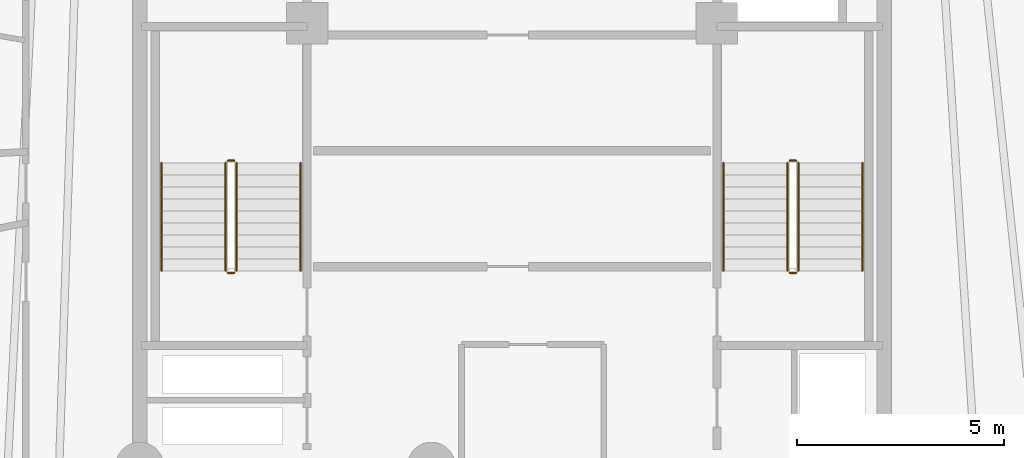
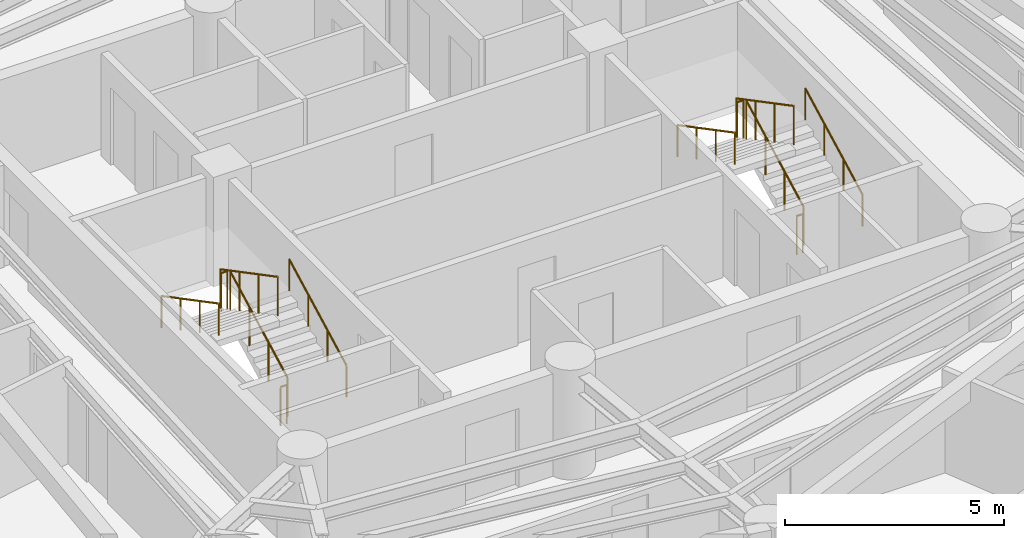
# One storey, part 7 of 7: 12 railings.
"""IFC4 building model written with IfcOpenShell, lengths in metres."""

from ifc_helpers import new_model, si_unit, direction, frame, origin, origin_2d, place, context, subcontext, project, spatial, circle, extrude, material, layer, layer_set, type_object, element, save


model = new_model("IFC4")

# Units and contexts
model_context = context("Model", 3, precision=1e-05, world=origin(), true_north=direction((0.0, 1.0)))
body_context = subcontext(model_context, "Body", "Model", "MODEL_VIEW")
ifc_project = project(units=[si_unit("LENGTHUNIT", "METRE"), si_unit("AREAUNIT", "SQUARE_METRE"), si_unit("VOLUMEUNIT", "CUBIC_METRE"), si_unit("PLANEANGLEUNIT", "RADIAN"), si_unit("MASSUNIT", "GRAM", prefix="KILO")], contexts=[model_context])

# Site, building, storey
site_placement = place(None, origin())
site = spatial("IfcSite", under=ifc_project, at=site_placement, CompositionType="ELEMENT")
building_placement = place(site_placement, origin())
building = spatial("IfcBuilding", under=site, at=building_placement, Name="Karkom Vertical University and Central Library", CompositionType="ELEMENT")
storey_placement = place(building_placement, frame((0.0, 0.0, 247.39990234375)))
storey = spatial("IfcBuildingStorey", under=building, at=storey_placement, Name="L73", CompositionType="ELEMENT", Elevation=247.39990234375)

# Railings
ifc_material_1 = material(Name="Painted galvanised steel balustrade", Category="steel")
ifc_layer_1 = layer(ifc_material_1, 0.06005859375)
ifc_layer_set_1 = layer_set([ifc_layer_1], Name="Painted galvanised steel balustrade")
railing_type_1 = type_object("IfcRailingType", Name="INT-RL-GUARD1100", PredefinedType="GUARDRAIL", material=ifc_layer_set_1)
railing_1_placement = place(storey_placement, frame((21.840087890625, 23.02001953125, 0.152587890625)))
element("IfcRailing", 1, at=railing_1_placement, inside=storey, type_object=railing_type_1, Name="Level 73 ST-1 stair guard 1", PredefinedType="GUARDRAIL", context=body_context, shape_type="SweptSolid", body=[
    extrude(circle(Radius=0.02392578125, at=origin_2d()), frame((0.0, 0.0, 1.076171875), z_axis=(0.0, 0.885065446896, 0.46546659892), x_axis=(-1.0, 0.0, 0.0)), (0.0, 0.0, 1.0), 2.94873046875),
    extrude(circle(Radius=0.02099609375, at=origin_2d()), origin(), (0.0, 0.0, 1.0), 1.052001953125),
    extrude(circle(Radius=0.02099609375, at=origin_2d()), frame((0.0, 0.869873046875, 0.45751953125)), (0.0, 0.0, 1.0), 1.052001953125),
    extrude(circle(Radius=0.02099609375, at=origin_2d()), frame((0.0, 1.739990234375, 0.9150390625)), (0.0, 0.0, 1.0), 1.052001953125),
    extrude(circle(Radius=0.02099609375, at=origin_2d()), frame((0.0, 2.60986328125, 1.37255859375)), (0.0, 0.0, 1.0), 1.052001953125),
])
railing_2_placement = place(storey_placement, frame((21.7900390625, 25.679931640625, 1.525146484375)))
element("IfcRailing", 2, at=railing_2_placement, inside=storey, type_object=railing_type_1, Name="Level 73 ST-1 stair guard 2", PredefinedType="GUARDRAIL", context=body_context, shape_type="SweptSolid", body=[
    extrude(circle(Radius=0.02392578125, at=origin_2d()), frame((0.0, 0.0, 1.076171875), z_axis=(-1.0, 0.0, 0.0), x_axis=(0.0, -1.0, 0.0)), (0.0, 0.0, 1.0), 0.16015625),
    extrude(circle(Radius=0.02099609375, at=origin_2d()), origin(), (0.0, 0.0, 1.0), 1.052001953125),
    extrude(circle(Radius=0.02099609375, at=origin_2d()), frame((-0.16015625, 0.0, 0.0)), (0.0, 0.0, 1.0), 1.052001953125),
])
railing_3_placement = place(storey_placement, frame((21.580078125, 25.6298828125, 1.677490234375)))
element("IfcRailing", 3, at=railing_3_placement, inside=storey, type_object=railing_type_1, Name="Level 73 ST-1 stair guard 3", PredefinedType="GUARDRAIL", context=body_context, shape_type="SweptSolid", body=[
    extrude(circle(Radius=0.02392578125, at=origin_2d()), frame((0.0, 0.0, 1.076171875), z_axis=(0.0, -0.885065446896, 0.46546659892), x_axis=(1.0, 0.0, 0.0)), (0.0, 0.0, 1.0), 2.94873046875),
    extrude(circle(Radius=0.02099609375, at=origin_2d()), origin(), (0.0, 0.0, 1.0), 1.052001953125),
    extrude(circle(Radius=0.02099609375, at=origin_2d()), frame((0.0, -0.869873046875, 0.45751953125)), (0.0, 0.0, 1.0), 1.052001953125),
    extrude(circle(Radius=0.02099609375, at=origin_2d()), frame((0.0, -1.739990234375, 0.9150390625)), (0.0, 0.0, 1.0), 1.052001953125),
    extrude(circle(Radius=0.02099609375, at=origin_2d()), frame((0.0, -2.60986328125, 1.37255859375)), (0.0, 0.0, 1.0), 1.052001953125),
])
railing_4_placement = place(storey_placement, frame((21.7900390625, 22.969970703125, 0.0)))
element("IfcRailing", 4, at=railing_4_placement, inside=storey, type_object=railing_type_1, Name="Level 73 ST-1 stair guard 4", PredefinedType="GUARDRAIL", context=body_context, shape_type="SweptSolid", body=[
    extrude(circle(Radius=0.02392578125, at=origin_2d()), frame((0.0, 0.0, 1.076171875), z_axis=(-1.0, 0.0, 0.0), x_axis=(0.0, -1.0, 0.0)), (0.0, 0.0, 1.0), 0.16015625),
    extrude(circle(Radius=0.02099609375, at=origin_2d()), origin(), (0.0, 0.0, 1.0), 1.052001953125),
    extrude(circle(Radius=0.02099609375, at=origin_2d()), frame((-0.16015625, 0.0, 0.0)), (0.0, 0.0, 1.0), 1.052001953125),
])
railing_5_placement = place(storey_placement, frame((35.419921875, 23.02001953125, 0.152587890625)))
element("IfcRailing", 5, at=railing_5_placement, inside=storey, type_object=railing_type_1, Name="Level 73 ST-2 stair guard 1", PredefinedType="GUARDRAIL", context=body_context, shape_type="SweptSolid", body=[
    extrude(circle(Radius=0.02392578125, at=origin_2d()), frame((0.0, 0.0, 1.076171875), z_axis=(0.0, 0.885065446896, 0.46546659892), x_axis=(-1.0, 0.0, 0.0)), (0.0, 0.0, 1.0), 2.94873046875),
    extrude(circle(Radius=0.02099609375, at=origin_2d()), origin(), (0.0, 0.0, 1.0), 1.052001953125),
    extrude(circle(Radius=0.02099609375, at=origin_2d()), frame((0.0, 0.869873046875, 0.45751953125)), (0.0, 0.0, 1.0), 1.052001953125),
    extrude(circle(Radius=0.02099609375, at=origin_2d()), frame((0.0, 1.739990234375, 0.9150390625)), (0.0, 0.0, 1.0), 1.052001953125),
    extrude(circle(Radius=0.02099609375, at=origin_2d()), frame((0.0, 2.60986328125, 1.37255859375)), (0.0, 0.0, 1.0), 1.052001953125),
])
railing_6_placement = place(storey_placement, frame((35.3701171875, 25.679931640625, 1.525146484375)))
element("IfcRailing", 6, at=railing_6_placement, inside=storey, type_object=railing_type_1, Name="Level 73 ST-2 stair guard 2", PredefinedType="GUARDRAIL", context=body_context, shape_type="SweptSolid", body=[
    extrude(circle(Radius=0.02392578125, at=origin_2d()), frame((0.0, 0.0, 1.076171875), z_axis=(-1.0, 0.0, 0.0), x_axis=(0.0, -1.0, 0.0)), (0.0, 0.0, 1.0), 0.16015625),
    extrude(circle(Radius=0.02099609375, at=origin_2d()), origin(), (0.0, 0.0, 1.0), 1.052001953125),
    extrude(circle(Radius=0.02099609375, at=origin_2d()), frame((-0.16015625, 0.0, 0.0)), (0.0, 0.0, 1.0), 1.052001953125),
])
railing_7_placement = place(storey_placement, frame((35.159912109375, 25.6298828125, 1.677490234375)))
element("IfcRailing", 7, at=railing_7_placement, inside=storey, type_object=railing_type_1, Name="Level 73 ST-2 stair guard 3", PredefinedType="GUARDRAIL", context=body_context, shape_type="SweptSolid", body=[
    extrude(circle(Radius=0.02392578125, at=origin_2d()), frame((0.0, 0.0, 1.076171875), z_axis=(0.0, -0.885065446896, 0.46546659892), x_axis=(1.0, 0.0, 0.0)), (0.0, 0.0, 1.0), 2.94873046875),
    extrude(circle(Radius=0.02099609375, at=origin_2d()), origin(), (0.0, 0.0, 1.0), 1.052001953125),
    extrude(circle(Radius=0.02099609375, at=origin_2d()), frame((0.0, -0.869873046875, 0.45751953125)), (0.0, 0.0, 1.0), 1.052001953125),
    extrude(circle(Radius=0.02099609375, at=origin_2d()), frame((0.0, -1.739990234375, 0.9150390625)), (0.0, 0.0, 1.0), 1.052001953125),
    extrude(circle(Radius=0.02099609375, at=origin_2d()), frame((0.0, -2.60986328125, 1.37255859375)), (0.0, 0.0, 1.0), 1.052001953125),
])
railing_8_placement = place(storey_placement, frame((35.3701171875, 22.969970703125, 0.0)))
element("IfcRailing", 8, at=railing_8_placement, inside=storey, type_object=railing_type_1, Name="Level 73 ST-2 stair guard 4", PredefinedType="GUARDRAIL", context=body_context, shape_type="SweptSolid", body=[
    extrude(circle(Radius=0.02392578125, at=origin_2d()), frame((0.0, 0.0, 1.076171875), z_axis=(-1.0, 0.0, 0.0), x_axis=(0.0, -1.0, 0.0)), (0.0, 0.0, 1.0), 0.16015625),
    extrude(circle(Radius=0.02099609375, at=origin_2d()), origin(), (0.0, 0.0, 1.0), 1.052001953125),
    extrude(circle(Radius=0.02099609375, at=origin_2d()), frame((-0.16015625, 0.0, 0.0)), (0.0, 0.0, 1.0), 1.052001953125),
])
ifc_material_2 = material(Name="Brushed stainless-steel tubular handrail", Category="steel")
ifc_layer_2 = layer(ifc_material_2, 0.048095703125)
ifc_layer_set_2 = layer_set([ifc_layer_2], Name="Brushed stainless-steel tubular handrail")
railing_type_2 = type_object("IfcRailingType", Name="INT-RL-HAND920", PredefinedType="HANDRAIL", material=ifc_layer_set_2)
railing_9_placement = place(storey_placement, frame((23.389892578125, 23.02001953125, 0.152587890625)))
element("IfcRailing", 9, at=railing_9_placement, inside=storey, type_object=railing_type_2, Name="Level 73 ST-1 stair handrail 1", PredefinedType="HANDRAIL", context=body_context, shape_type="SweptSolid", body=[
    extrude(circle(Radius=0.02392578125, at=origin_2d()), frame((0.0, 0.0, 0.8759765625), z_axis=(0.0, 0.885065446896, 0.46546659892), x_axis=(-1.0, 0.0, 0.0)), (0.0, 0.0, 1.0), 2.94873046875),
    extrude(circle(Radius=0.02099609375, at=origin_2d()), origin(), (0.0, 0.0, 1.0), 0.851806640625),
    extrude(circle(Radius=0.02099609375, at=origin_2d()), frame((0.0, 0.869873046875, 0.45751953125)), (0.0, 0.0, 1.0), 0.851806640625),
    extrude(circle(Radius=0.02099609375, at=origin_2d()), frame((0.0, 1.739990234375, 0.9150390625)), (0.0, 0.0, 1.0), 0.851806640625),
    extrude(circle(Radius=0.02099609375, at=origin_2d()), frame((0.0, 2.60986328125, 1.37255859375)), (0.0, 0.0, 1.0), 0.851806640625),
])
railing_10_placement = place(storey_placement, frame((20.030029296875, 25.6298828125, 1.677490234375)))
element("IfcRailing", 10, at=railing_10_placement, inside=storey, type_object=railing_type_2, Name="Level 73 ST-1 stair handrail 2", PredefinedType="HANDRAIL", context=body_context, shape_type="SweptSolid", body=[
    extrude(circle(Radius=0.02392578125, at=origin_2d()), frame((0.0, 0.0, 0.8759765625), z_axis=(0.0, -0.885065446896, 0.46546659892), x_axis=(1.0, 0.0, 0.0)), (0.0, 0.0, 1.0), 2.94873046875),
    extrude(circle(Radius=0.02099609375, at=origin_2d()), origin(), (0.0, 0.0, 1.0), 0.851806640625),
    extrude(circle(Radius=0.02099609375, at=origin_2d()), frame((0.0, -0.869873046875, 0.45751953125)), (0.0, 0.0, 1.0), 0.851806640625),
    extrude(circle(Radius=0.02099609375, at=origin_2d()), frame((0.0, -1.739990234375, 0.9150390625)), (0.0, 0.0, 1.0), 0.851806640625),
    extrude(circle(Radius=0.02099609375, at=origin_2d()), frame((0.0, -2.60986328125, 1.37255859375)), (0.0, 0.0, 1.0), 0.851806640625),
])
railing_11_placement = place(storey_placement, frame((36.969970703125, 23.02001953125, 0.152587890625)))
element("IfcRailing", 11, at=railing_11_placement, inside=storey, type_object=railing_type_2, Name="Level 73 ST-2 stair handrail 1", PredefinedType="HANDRAIL", context=body_context, shape_type="SweptSolid", body=[
    extrude(circle(Radius=0.02392578125, at=origin_2d()), frame((0.0, 0.0, 0.8759765625), z_axis=(0.0, 0.885065446896, 0.46546659892), x_axis=(-1.0, 0.0, 0.0)), (0.0, 0.0, 1.0), 2.94873046875),
    extrude(circle(Radius=0.02099609375, at=origin_2d()), origin(), (0.0, 0.0, 1.0), 0.851806640625),
    extrude(circle(Radius=0.02099609375, at=origin_2d()), frame((0.0, 0.869873046875, 0.45751953125)), (0.0, 0.0, 1.0), 0.851806640625),
    extrude(circle(Radius=0.02099609375, at=origin_2d()), frame((0.0, 1.739990234375, 0.9150390625)), (0.0, 0.0, 1.0), 0.851806640625),
    extrude(circle(Radius=0.02099609375, at=origin_2d()), frame((0.0, 2.60986328125, 1.37255859375)), (0.0, 0.0, 1.0), 0.851806640625),
])
railing_12_placement = place(storey_placement, frame((33.610107421875, 25.6298828125, 1.677490234375)))
element("IfcRailing", 12, at=railing_12_placement, inside=storey, type_object=railing_type_2, Name="Level 73 ST-2 stair handrail 2", PredefinedType="HANDRAIL", context=body_context, shape_type="SweptSolid", body=[
    extrude(circle(Radius=0.02392578125, at=origin_2d()), frame((0.0, 0.0, 0.8759765625), z_axis=(0.0, -0.885065446896, 0.46546659892), x_axis=(1.0, 0.0, 0.0)), (0.0, 0.0, 1.0), 2.94873046875),
    extrude(circle(Radius=0.02099609375, at=origin_2d()), origin(), (0.0, 0.0, 1.0), 0.851806640625),
    extrude(circle(Radius=0.02099609375, at=origin_2d()), frame((0.0, -0.869873046875, 0.45751953125)), (0.0, 0.0, 1.0), 0.851806640625),
    extrude(circle(Radius=0.02099609375, at=origin_2d()), frame((0.0, -1.739990234375, 0.9150390625)), (0.0, 0.0, 1.0), 0.851806640625),
    extrude(circle(Radius=0.02099609375, at=origin_2d()), frame((0.0, -2.60986328125, 1.37255859375)), (0.0, 0.0, 1.0), 0.851806640625),
])

save(model, "model.ifc")
